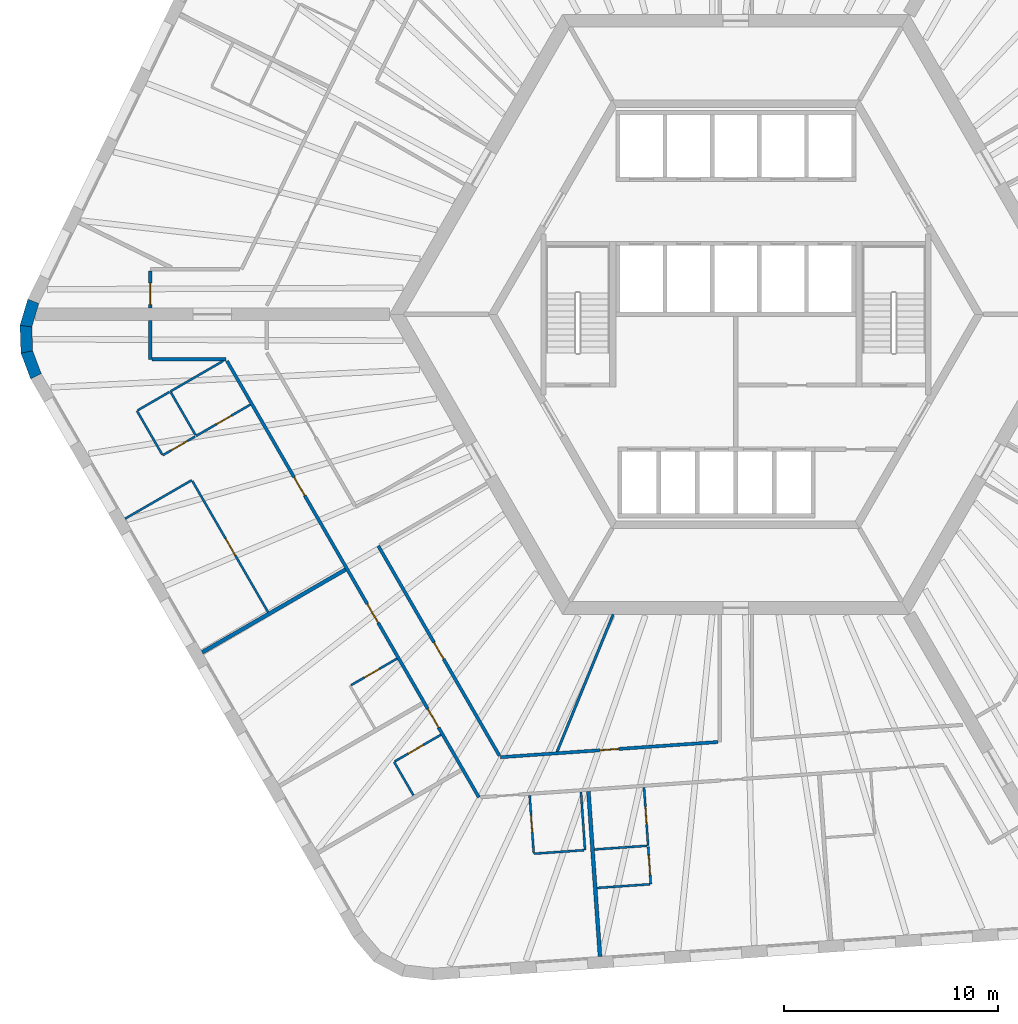
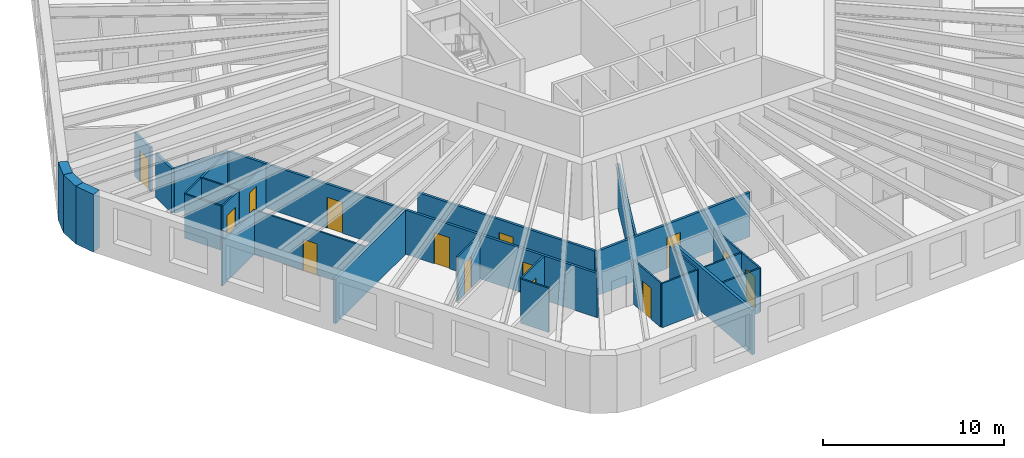
# One storey, part 3 of 12: 30 walls, 14 doors, 14 openings.
"""IFC4 building model written with IfcOpenShell, lengths in metres."""

from ifc_helpers import new_model, si_unit, direction, frame, frame_2d, origin, place, context, subcontext, project, spatial, polyline, rectangle, outline, extrude, material, layer, layer_set, type_object, element, fill, save


model = new_model("IFC4")

# Units and contexts
model_context = context("Model", 3, precision=1e-05, world=origin(), true_north=direction((0.0, 1.0)))
body_context = subcontext(model_context, "Body", "Model", "MODEL_VIEW")
ifc_project = project(units=[si_unit("LENGTHUNIT", "METRE"), si_unit("AREAUNIT", "SQUARE_METRE"), si_unit("VOLUMEUNIT", "CUBIC_METRE"), si_unit("PLANEANGLEUNIT", "RADIAN"), si_unit("MASSUNIT", "GRAM", prefix="KILO")], contexts=[model_context])

# Site, building, storey
site_placement = place(None, origin())
site = spatial("IfcSite", under=ifc_project, at=site_placement, CompositionType="ELEMENT")
building_placement = place(site_placement, origin())
building = spatial("IfcBuilding", under=site, at=building_placement, Name="Tarnside Tower", CompositionType="ELEMENT")
storey_placement = place(building_placement, frame((0.0, 0.0, 84.300048828125)))
storey = spatial("IfcBuildingStorey", under=building, at=storey_placement, Name="L18", CompositionType="ELEMENT", Elevation=84.300048828125)

# Wall
ifc_material_1 = material(Name="Gypsum board partition on steel studs", Category="steel")
ifc_layer_1 = layer(ifc_material_1, 0.10009765625)
ifc_layer_set_1 = layer_set([ifc_layer_1], Name="Bathroom wall 100")
wall_type_1 = type_object("IfcWallType", Name="Bathroom wall 100", PredefinedType="PARTITIONING", material=ifc_layer_set_1)
wall_1_placement = place(storey_placement, frame((-26.385009765625, -3.60009765625, 0.0), z_axis=(0.0, 0.0, 1.0), x_axis=(0.866025820012, 0.499999279071, 0.0)))
element("IfcWall", 1, at=wall_1_placement, inside=storey, type_object=wall_type_1, Name="Bathroom wall 05105", PredefinedType="PARTITIONING", context=body_context, shape_type="SweptSolid", body=[
    extrude(rectangle(XDim=2.85009765625, YDim=0.10009765625, at=frame_2d((1.425048828125, 0.0))), origin(), (0.0, 0.0, 1.0), 2.98779296875),
])

# Wall, opening, door
wall_2_placement = place(storey_placement, frame((-22.65185546875, -4.216064453125, 0.0), z_axis=(0.0, 0.0, 1.0), x_axis=(-0.866025730634, -0.499999433879, 0.0)))
wall_2 = element("IfcWall", 2, at=wall_2_placement, inside=storey, type_object=wall_type_1, Name="Bathroom wall 05106", PredefinedType="PARTITIONING", context=body_context, shape_type="SweptSolid", body=[
    extrude(rectangle(XDim=2.9248046875, YDim=0.10009765625, at=frame_2d((1.46240234375, 0.0))), origin(), (0.0, 0.0, 1.0), 2.98779296875),
])
opening_1_placement = place(wall_2_placement, frame((1.02490234375, 0.0, 0.0)))
opening_1 = element("IfcOpeningElement", 3, at=opening_1_placement, cuts=wall_2, Name="Opening D-B1", PredefinedType="OPENING", context=body_context, shape_type="SweptSolid", body=[
    extrude(rectangle(XDim=0.800048828125, YDim=2.10009765625, at=frame_2d((0.39990234375, 1.050048828125))), frame((0.0, 0.06005859375, 0.0), z_axis=(0.0, -1.0, 0.0), x_axis=(1.0, 0.0, 0.0)), (0.0, 0.0, 1.0), 0.1201171875),
])
ifc_material_2 = material(Name="Timber door leaf", Category="wood")
door_type_1 = type_object("IfcDoorType", Name="Bathroom door 800", OperationType="NOTDEFINED", PredefinedType="DOOR", material=ifc_material_2)
door_1_placement = place(opening_1_placement, origin())
door_1 = element("IfcDoor", 4, at=door_1_placement, inside=storey, type_object=door_type_1, Name="Bathroom door 05016", OperationType="SINGLE_SWING_RIGHT", OverallHeight=2.10009765625, OverallWidth=0.800048828125, PredefinedType="DOOR", context=body_context, shape_type="SweptSolid", body=[
    extrude(rectangle(XDim=0.800048828125, YDim=2.10009765625, at=frame_2d((0.39990234375, 1.050048828125))), frame((0.0, 0.02490234375, 0.0), z_axis=(0.0, -1.0, 0.0), x_axis=(1.0, 0.0, 0.0)), (0.0, 0.0, 1.0), 0.050048828125),
])
fill(opening_1, door_1)

# Wall
wall_3_placement = place(storey_placement, frame((-26.35986328125, -3.643310546875, 0.0), z_axis=(0.0, 0.0, 1.0), x_axis=(0.499952165731, -0.866053019151, 0.0)))
element("IfcWall", 5, at=wall_3_placement, inside=storey, type_object=wall_type_1, Name="Bathroom wall 05113", PredefinedType="PARTITIONING", context=body_context, shape_type="SweptSolid", body=[
    extrude(rectangle(XDim=2.300048828125, YDim=0.10009765625, at=frame_2d((1.14990234375, 0.0))), origin(), (0.0, 0.0, 1.0), 2.98779296875),
])

# Wall, opening, door
wall_4_placement = place(storey_placement, frame((-17.952392578125, -17.3056640625, 0.0), z_axis=(0.0, 0.0, 1.0), x_axis=(0.866031185235, 0.4999899861, 0.0)))
wall_4 = element("IfcWall", 6, at=wall_4_placement, inside=storey, type_object=wall_type_1, Name="Bathroom wall 05116", PredefinedType="PARTITIONING", context=body_context, shape_type="SweptSolid", body=[
    extrude(rectangle(XDim=2.47509765625, YDim=0.10009765625, at=frame_2d((1.237548828125, 0.0))), origin(), (0.0, 0.0, 1.0), 2.98779296875),
])
opening_2_placement = place(wall_4_placement, frame((0.719970703125, 0.0, 0.0)))
opening_2 = element("IfcOpeningElement", 7, at=opening_2_placement, cuts=wall_4, Name="Opening D-B1", PredefinedType="OPENING", context=body_context, shape_type="SweptSolid", body=[
    extrude(rectangle(XDim=0.800048828125, YDim=2.10009765625, at=frame_2d((0.39990234375, 1.050048828125))), frame((0.0, 0.06005859375, 0.0), z_axis=(0.0, -1.0, 0.0), x_axis=(1.0, 0.0, 0.0)), (0.0, 0.0, 1.0), 0.1201171875),
])
door_2_placement = place(opening_2_placement, origin())
door_2 = element("IfcDoor", 8, at=door_2_placement, inside=storey, type_object=door_type_1, Name="Bathroom door 05020", OperationType="SINGLE_SWING_RIGHT", OverallHeight=2.10009765625, OverallWidth=0.800048828125, PredefinedType="DOOR", context=body_context, shape_type="SweptSolid", body=[
    extrude(rectangle(XDim=0.800048828125, YDim=2.10009765625, at=frame_2d((0.39990234375, 1.050048828125))), frame((0.0, 0.02490234375, 0.0), z_axis=(0.0, -1.0, 0.0), x_axis=(1.0, 0.0, 0.0)), (0.0, 0.0, 1.0), 0.050048828125),
])
fill(opening_2, door_2)

# Wall
wall_5_placement = place(storey_placement, frame((-15.04052734375, -22.448974609375, 0.0), z_axis=(0.0, 0.0, 1.0), x_axis=(-0.499983199978, 0.866035103064, 0.0)))
element("IfcWall", 9, at=wall_5_placement, inside=storey, type_object=wall_type_1, Name="Bathroom wall 05119", PredefinedType="PARTITIONING", context=body_context, shape_type="SweptSolid", body=[
    extrude(rectangle(XDim=1.81005859375, YDim=0.10009765625, at=frame_2d((0.905029296875, 0.0))), origin(), (0.0, 0.0, 1.0), 2.98779296875),
])

# Wall, opening, door
wall_6_placement = place(storey_placement, frame((-15.90234375, -20.8564453125, 0.0), z_axis=(0.0, 0.0, 1.0), x_axis=(0.866031185235, 0.4999899861, 0.0)))
wall_6 = element("IfcWall", 10, at=wall_6_placement, inside=storey, type_object=wall_type_1, Name="Bathroom wall 05120", PredefinedType="PARTITIONING", context=body_context, shape_type="SweptSolid", body=[
    extrude(rectangle(XDim=2.47509765625, YDim=0.10009765625, at=frame_2d((1.237548828125, 0.0))), origin(), (0.0, 0.0, 1.0), 2.98779296875),
])
opening_3_placement = place(wall_6_placement, frame((0.719970703125, 0.0, 0.0)))
opening_3 = element("IfcOpeningElement", 11, at=opening_3_placement, cuts=wall_6, Name="Opening D-B1", PredefinedType="OPENING", context=body_context, shape_type="SweptSolid", body=[
    extrude(rectangle(XDim=0.800048828125, YDim=2.10009765625, at=frame_2d((0.39990234375, 1.050048828125))), frame((0.0, 0.06005859375, 0.0), z_axis=(0.0, -1.0, 0.0), x_axis=(1.0, 0.0, 0.0)), (0.0, 0.0, 1.0), 0.1201171875),
])
door_3_placement = place(opening_3_placement, origin())
door_3 = element("IfcDoor", 12, at=door_3_placement, inside=storey, type_object=door_type_1, Name="Bathroom door 05022", OperationType="SINGLE_SWING_RIGHT", OverallHeight=2.10009765625, OverallWidth=0.800048828125, PredefinedType="DOOR", context=body_context, shape_type="SweptSolid", body=[
    extrude(rectangle(XDim=0.800048828125, YDim=2.10009765625, at=frame_2d((0.39990234375, 1.050048828125))), frame((0.0, 0.02490234375, 0.0), z_axis=(0.0, -1.0, 0.0), x_axis=(1.0, 0.0, 0.0)), (0.0, 0.0, 1.0), 0.050048828125),
])
fill(opening_3, door_3)

# Walls
wall_7_placement = place(storey_placement, frame((-7.224365234375, -22.283203125, 0.0), z_axis=(0.0, 0.0, 1.0), x_axis=(0.069795247212, -0.997561338198, 0.0)))
element("IfcWall", 13, at=wall_7_placement, inside=storey, type_object=wall_type_1, Name="Bathroom wall 05123", PredefinedType="PARTITIONING", context=body_context, shape_type="SweptSolid", body=[
    extrude(rectangle(XDim=2.724853515625, YDim=0.10009765625, at=frame_2d((1.3623046875, 0.0))), origin(), (0.0, 0.0, 1.0), 2.98779296875),
])
wall_8_placement = place(storey_placement, frame((-7.083984375, -25.005126953125, 0.0), z_axis=(0.0, 0.0, 1.0), x_axis=(-0.997567715103, -0.06970404424, 0.0)))
element("IfcWall", 14, at=wall_8_placement, inside=storey, type_object=wall_type_1, Name="Bathroom wall 05124", PredefinedType="PARTITIONING", context=body_context, shape_type="SweptSolid", body=[
    extrude(rectangle(XDim=2.35009765625, YDim=0.10009765625, at=frame_2d((1.175048828125, 0.0))), origin(), (0.0, 0.0, 1.0), 2.98779296875),
])

# Wall, opening, door
wall_9_placement = place(storey_placement, frame((-9.431884765625, -25.119140625, 0.0), z_axis=(0.0, 0.0, 1.0), x_axis=(-0.069729221413, 0.997565955554, 0.0)))
wall_9 = element("IfcWall", 15, at=wall_9_placement, inside=storey, type_object=wall_type_1, Name="Bathroom wall 05125", PredefinedType="PARTITIONING", context=body_context, shape_type="SweptSolid", body=[
    extrude(rectangle(XDim=2.675048828125, YDim=0.10009765625, at=frame_2d((1.33740234375, 0.0))), origin(), (0.0, 0.0, 1.0), 2.98779296875),
])
opening_4_placement = place(wall_9_placement, frame((0.949951171875, 0.0, 0.0)))
opening_4 = element("IfcOpeningElement", 16, at=opening_4_placement, cuts=wall_9, Name="Opening D-B1", PredefinedType="OPENING", context=body_context, shape_type="SweptSolid", body=[
    extrude(rectangle(XDim=0.800048828125, YDim=2.10009765625, at=frame_2d((0.39990234375, 1.050048828125))), frame((0.0, 0.06005859375, 0.0), z_axis=(0.0, -1.0, 0.0), x_axis=(1.0, 0.0, 0.0)), (0.0, 0.0, 1.0), 0.1201171875),
])
door_4_placement = place(opening_4_placement, origin())
door_4 = element("IfcDoor", 17, at=door_4_placement, inside=storey, type_object=door_type_1, Name="Bathroom door 05024", OperationType="SINGLE_SWING_LEFT", OverallHeight=2.10009765625, OverallWidth=0.800048828125, PredefinedType="DOOR", context=body_context, shape_type="SweptSolid", body=[
    extrude(rectangle(XDim=0.800048828125, YDim=2.10009765625, at=frame_2d((0.39990234375, 1.050048828125))), frame((0.0, 0.02490234375, 0.0), z_axis=(0.0, -1.0, 0.0), x_axis=(1.0, 0.0, 0.0)), (0.0, 0.0, 1.0), 0.050048828125),
])
fill(opening_4, door_4)

wall_10_placement = place(storey_placement, frame((-4.281494140625, -22.077392578125, 0.0), z_axis=(0.0, 0.0, 1.0), x_axis=(0.069789009646, -0.997561774595, 0.0)))
wall_10 = element("IfcWall", 18, at=wall_10_placement, inside=storey, type_object=wall_type_1, Name="Bathroom wall 05129", PredefinedType="PARTITIONING", context=body_context, shape_type="SweptSolid", body=[
    extrude(rectangle(XDim=2.72509765625, YDim=0.10009765625, at=frame_2d((1.362548828125, 0.0))), origin(), (0.0, 0.0, 1.0), 2.98779296875),
])
opening_5_placement = place(wall_10_placement, frame((0.925048828125, 0.0, 0.0)))
opening_5 = element("IfcOpeningElement", 19, at=opening_5_placement, cuts=wall_10, Name="Opening D-B1", PredefinedType="OPENING", context=body_context, shape_type="SweptSolid", body=[
    extrude(rectangle(XDim=0.800048828125, YDim=2.10009765625, at=frame_2d((0.39990234375, 1.050048828125))), frame((0.0, 0.06005859375, 0.0), z_axis=(0.0, -1.0, 0.0), x_axis=(1.0, 0.0, 0.0)), (0.0, 0.0, 1.0), 0.1201171875),
])
door_5_placement = place(opening_5_placement, origin())
door_5 = element("IfcDoor", 20, at=door_5_placement, inside=storey, type_object=door_type_1, Name="Bathroom door 05026", OperationType="SINGLE_SWING_RIGHT", OverallHeight=2.10009765625, OverallWidth=0.800048828125, PredefinedType="DOOR", context=body_context, shape_type="SweptSolid", body=[
    extrude(rectangle(XDim=0.800048828125, YDim=2.10009765625, at=frame_2d((0.39990234375, 1.050048828125))), frame((0.0, 0.02490234375, 0.0), z_axis=(0.0, -1.0, 0.0), x_axis=(1.0, 0.0, 0.0)), (0.0, 0.0, 1.0), 0.050048828125),
])
fill(opening_5, door_5)

# Wall
wall_11_placement = place(storey_placement, frame((-6.59521484375, -24.970947265625, 0.0), z_axis=(0.0, 0.0, 1.0), x_axis=(0.997562906323, 0.069772830877, 0.0)))
element("IfcWall", 21, at=wall_11_placement, inside=storey, type_object=wall_type_1, Name="Bathroom wall 05134", PredefinedType="PARTITIONING", context=body_context, shape_type="SweptSolid", body=[
    extrude(rectangle(XDim=2.4599609375, YDim=0.10009765625, at=frame_2d((1.22998046875, 0.0))), origin(), (0.0, 0.0, 1.0), 2.98779296875),
])

# Wall, opening, door
ifc_layer_2 = layer(ifc_material_1, 0.14990234375)
ifc_layer_set_2 = layer_set([ifc_layer_2], Name="Corridor wall 150 EI 60")
wall_type_2 = type_object("IfcWallType", Name="Corridor wall 150 EI 60", PredefinedType="PARTITIONING", material=ifc_layer_set_2)
wall_12_placement = place(storey_placement, frame((-27.3203125, 2.02490234375, 0.0), z_axis=(0.0, 0.0, 1.0), x_axis=(0.0, -1.0, 0.0)))
wall_12 = element("IfcWall", 22, at=wall_12_placement, inside=storey, type_object=wall_type_2, Name="Corridor wall 05016", PredefinedType="PARTITIONING", context=body_context, shape_type="SweptSolid", body=[
    extrude(rectangle(XDim=1.724853515625, YDim=0.14990234375, at=frame_2d((0.8623046875, 0.0))), origin(), (0.0, 0.0, 1.0), 2.98779296875),
])
opening_6_placement = place(wall_12_placement, frame((0.574951171875, 0.0, 0.0)))
opening_6 = element("IfcOpeningElement", 23, at=opening_6_placement, cuts=wall_12, Name="Opening D-E1", PredefinedType="OPENING", context=body_context, shape_type="SweptSolid", body=[
    extrude(rectangle(XDim=1.0, YDim=2.10009765625, at=frame_2d((0.5, 1.050048828125))), frame((0.0, 0.0849609375, 0.0), z_axis=(0.0, -1.0, 0.0), x_axis=(1.0, 0.0, 0.0)), (0.0, 0.0, 1.0), 0.169921875),
])
door_type_2 = type_object("IfcDoorType", Name="Unit entrance door 1000 FD30S", OperationType="NOTDEFINED", PredefinedType="DOOR", material=ifc_material_2)
door_6_placement = place(opening_6_placement, origin())
door_6 = element("IfcDoor", 24, at=door_6_placement, inside=storey, type_object=door_type_2, Name="Unit door 05014", OperationType="SINGLE_SWING_LEFT", OverallHeight=2.10009765625, OverallWidth=1.0, PredefinedType="DOOR", context=body_context, shape_type="SweptSolid", body=[
    extrude(rectangle(XDim=1.0, YDim=2.10009765625, at=frame_2d((0.5, 1.050048828125))), frame((0.0, 0.02490234375, 0.0), z_axis=(0.0, -1.0, 0.0), x_axis=(1.0, 0.0, 0.0)), (0.0, 0.0, 1.0), 0.050048828125),
])
fill(opening_6, door_6)

# Walls
wall_13_placement = place(storey_placement, frame((-27.3203125, -0.300048828125, 0.0), z_axis=(0.0, 0.0, 1.0), x_axis=(0.0, -1.0, 0.0)))
element("IfcWall", 25, at=wall_13_placement, inside=storey, type_object=wall_type_2, Name="Corridor wall 05027", PredefinedType="PARTITIONING", context=body_context, shape_type="SweptSolid", body=[
    extrude(rectangle(XDim=1.800048828125, YDim=0.14990234375, at=frame_2d((0.89990234375, 0.0))), origin(), (0.0, 0.0, 1.0), 2.98779296875),
])
wall_14_placement = place(storey_placement, frame((-27.245361328125, -2.10009765625, 0.0), z_axis=(0.0, 0.0, 1.0), x_axis=(1.0, 0.0, 0.0)))
element("IfcWall", 26, at=wall_14_placement, inside=storey, type_object=wall_type_2, Name="Corridor wall 05028", PredefinedType="PARTITIONING", context=body_context, shape_type="SweptSolid", body=[
    extrude(rectangle(XDim=3.45849609375, YDim=0.14990234375, at=frame_2d((1.729248046875, 0.0))), origin(), (0.0, 0.0, 1.0), 2.98779296875),
])

# Wall, openings, doors
wall_15_placement = place(storey_placement, frame((-23.743408203125, -2.175048828125, 0.0), z_axis=(0.0, 0.0, 1.0), x_axis=(0.499992353047, -0.86602981871, 0.0)))
wall_15 = element("IfcWall", 27, at=wall_15_placement, inside=storey, type_object=wall_type_2, Name="Corridor wall 05029", PredefinedType="PARTITIONING", context=body_context, shape_type="SweptSolid", body=[
    extrude(rectangle(XDim=23.516357421875, YDim=0.14990234375, at=frame_2d((11.75830078125, 0.0))), origin(), (0.0, 0.0, 1.0), 2.98779296875),
])
opening_7_placement = place(wall_15_placement, frame((6.25634765625, 0.0, 0.0)))
opening_7 = element("IfcOpeningElement", 28, at=opening_7_placement, cuts=wall_15, Name="Opening D-E1", PredefinedType="OPENING", context=body_context, shape_type="SweptSolid", body=[
    extrude(rectangle(XDim=1.0, YDim=2.10009765625, at=frame_2d((0.5, 1.050048828125))), frame((0.0, 0.0849609375, 0.0), z_axis=(0.0, -1.0, 0.0), x_axis=(1.0, 0.0, 0.0)), (0.0, 0.0, 1.0), 0.169921875),
])
opening_8_placement = place(wall_15_placement, frame((13.09912109375, 0.0, 0.0)))
opening_8 = element("IfcOpeningElement", 29, at=opening_8_placement, cuts=wall_15, Name="Opening D-E1", PredefinedType="OPENING", context=body_context, shape_type="SweptSolid", body=[
    extrude(rectangle(XDim=1.0, YDim=2.10009765625, at=frame_2d((0.5, 1.050048828125))), frame((0.0, 0.0849609375, 0.0), z_axis=(0.0, -1.0, 0.0), x_axis=(1.0, 0.0, 0.0)), (0.0, 0.0, 1.0), 0.169921875),
])
opening_9_placement = place(wall_15_placement, frame((18.749267578125, 0.0, 0.0)))
opening_9 = element("IfcOpeningElement", 30, at=opening_9_placement, cuts=wall_15, Name="Opening D-E1", PredefinedType="OPENING", context=body_context, shape_type="SweptSolid", body=[
    extrude(rectangle(XDim=1.0, YDim=2.10009765625, at=frame_2d((0.5, 1.050048828125))), frame((0.0, 0.0849609375, 0.0), z_axis=(0.0, -1.0, 0.0), x_axis=(1.0, 0.0, 0.0)), (0.0, 0.0, 1.0), 0.169921875),
])
door_7_placement = place(opening_7_placement, origin())
door_7 = element("IfcDoor", 31, at=door_7_placement, inside=storey, type_object=door_type_2, Name="Unit door 05015", OperationType="SINGLE_SWING_LEFT", OverallHeight=2.10009765625, OverallWidth=1.0, PredefinedType="DOOR", context=body_context, shape_type="SweptSolid", body=[
    extrude(rectangle(XDim=1.0, YDim=2.10009765625, at=frame_2d((0.5, 1.050048828125))), frame((0.0, 0.02490234375, 0.0), z_axis=(0.0, -1.0, 0.0), x_axis=(1.0, 0.0, 0.0)), (0.0, 0.0, 1.0), 0.050048828125),
])
fill(opening_7, door_7)
door_8_placement = place(opening_8_placement, origin())
door_8 = element("IfcDoor", 32, at=door_8_placement, inside=storey, type_object=door_type_2, Name="Unit door 05019", OperationType="SINGLE_SWING_LEFT", OverallHeight=2.10009765625, OverallWidth=1.0, PredefinedType="DOOR", context=body_context, shape_type="SweptSolid", body=[
    extrude(rectangle(XDim=1.0, YDim=2.10009765625, at=frame_2d((0.5, 1.050048828125))), frame((0.0, 0.02490234375, 0.0), z_axis=(0.0, -1.0, 0.0), x_axis=(1.0, 0.0, 0.0)), (0.0, 0.0, 1.0), 0.050048828125),
])
fill(opening_8, door_8)
door_9_placement = place(opening_9_placement, origin())
door_9 = element("IfcDoor", 33, at=door_9_placement, inside=storey, type_object=door_type_2, Name="Unit door 05021", OperationType="SINGLE_SWING_RIGHT", OverallHeight=2.10009765625, OverallWidth=1.0, PredefinedType="DOOR", context=body_context, shape_type="SweptSolid", body=[
    extrude(rectangle(XDim=1.0, YDim=2.10009765625, at=frame_2d((0.5, 1.050048828125))), frame((0.0, 0.02490234375, 0.0), z_axis=(0.0, -1.0, 0.0), x_axis=(1.0, 0.0, 0.0)), (0.0, 0.0, 1.0), 0.050048828125),
])
fill(opening_9, door_9)

# Wall, opening, door
wall_16_placement = place(storey_placement, frame((-0.824951171875, -19.9560546875, 0.0), z_axis=(0.0, 0.0, 1.0), x_axis=(-0.997562587881, -0.069777383582, 0.0)))
wall_16 = element("IfcWall", 34, at=wall_16_placement, inside=storey, type_object=wall_type_2, Name="Corridor wall 05049", PredefinedType="PARTITIONING", context=body_context, shape_type="SweptSolid", body=[
    extrude(rectangle(XDim=10.188720703125, YDim=0.14990234375, at=frame_2d((5.09423828125, 0.0))), origin(), (0.0, 0.0, 1.0), 2.98779296875),
])
opening_10_placement = place(wall_16_placement, frame((4.644287109375, 0.0, 0.0)))
opening_10 = element("IfcOpeningElement", 35, at=opening_10_placement, cuts=wall_16, Name="Opening D-S1", PredefinedType="OPENING", context=body_context, shape_type="SweptSolid", body=[
    extrude(rectangle(XDim=0.89990234375, YDim=2.10009765625, at=frame_2d((0.449951171875, 1.050048828125))), frame((0.0, 0.0849609375, 0.0), z_axis=(0.0, -1.0, 0.0), x_axis=(1.0, 0.0, 0.0)), (0.0, 0.0, 1.0), 0.169921875),
])
door_type_3 = type_object("IfcDoorType", Name="Service room door 900 FD30S", OperationType="NOTDEFINED", PredefinedType="DOOR", material=ifc_material_2)
door_10_placement = place(opening_10_placement, origin())
door_10 = element("IfcDoor", 36, at=door_10_placement, inside=storey, type_object=door_type_3, Name="Service door 05046", OperationType="SINGLE_SWING_LEFT", OverallHeight=2.10009765625, OverallWidth=0.89990234375, PredefinedType="DOOR", context=body_context, shape_type="SweptSolid", body=[
    extrude(rectangle(XDim=0.89990234375, YDim=2.10009765625, at=frame_2d((0.449951171875, 1.050048828125))), frame((0.0, 0.02490234375, 0.0), z_axis=(0.0, -1.0, 0.0), x_axis=(1.0, 0.0, 0.0)), (0.0, 0.0, 1.0), 0.050048828125),
])
fill(opening_10, door_10)

wall_17_placement = place(storey_placement, frame((-11.030517578125, -20.5947265625, 0.0), z_axis=(0.0, 0.0, 1.0), x_axis=(-0.499987422378, 0.866032665356, 0.0)))
wall_17 = element("IfcWall", 37, at=wall_17_placement, inside=storey, type_object=wall_type_2, Name="Corridor wall 05051", PredefinedType="PARTITIONING", context=body_context, shape_type="SweptSolid", body=[
    extrude(rectangle(XDim=11.299072265625, YDim=0.14990234375, at=frame_2d((5.6494140625, 0.0))), origin(), (0.0, 0.0, 1.0), 2.98779296875),
])
opening_11_placement = place(wall_17_placement, frame((5.199462890625, 0.0, 0.0)))
opening_11 = element("IfcOpeningElement", 38, at=opening_11_placement, cuts=wall_17, Name="Opening D-S1", PredefinedType="OPENING", context=body_context, shape_type="SweptSolid", body=[
    extrude(rectangle(XDim=0.89990234375, YDim=2.10009765625, at=frame_2d((0.449951171875, 1.050048828125))), frame((0.0, 0.0849609375, 0.0), z_axis=(0.0, -1.0, 0.0), x_axis=(1.0, 0.0, 0.0)), (0.0, 0.0, 1.0), 0.169921875),
])
door_11_placement = place(opening_11_placement, origin())
door_11 = element("IfcDoor", 39, at=door_11_placement, inside=storey, type_object=door_type_3, Name="Service door 05047", OperationType="SINGLE_SWING_RIGHT", OverallHeight=2.10009765625, OverallWidth=0.89990234375, PredefinedType="DOOR", context=body_context, shape_type="SweptSolid", body=[
    extrude(rectangle(XDim=0.89990234375, YDim=2.10009765625, at=frame_2d((0.449951171875, 1.050048828125))), frame((0.0, 0.02490234375, 0.0), z_axis=(0.0, -1.0, 0.0), x_axis=(1.0, 0.0, 0.0)), (0.0, 0.0, 1.0), 0.050048828125),
])
fill(opening_11, door_11)

# Walls
ifc_layer_3 = layer(ifc_material_1, 0.179931640625)
ifc_layer_set_3 = layer_set([ifc_layer_3], Name="Demising wall 180 EI 60")
wall_type_3 = type_object("IfcWallType", Name="Demising wall 180 EI 60", PredefinedType="PARTITIONING", material=ifc_layer_set_3)
wall_18_placement = place(storey_placement, frame((-24.89892578125, -15.773681640625, 0.0), z_axis=(0.0, 0.0, 1.0), x_axis=(0.866032958989, 0.499986913773, 0.0)))
element("IfcWall", 40, at=wall_18_placement, inside=storey, type_object=wall_type_3, Name="Demising wall 05112", PredefinedType="PARTITIONING", context=body_context, shape_type="SweptSolid", body=[
    extrude(rectangle(XDim=7.724853515625, YDim=0.179931640625, at=frame_2d((3.8623046875, 0.0))), origin(), (0.0, 0.0, 1.0), 2.98779296875),
])
wall_19_placement = place(storey_placement, frame((-6.336181640625, -29.965087890625, 0.0), z_axis=(0.0, 0.0, 1.0), x_axis=(-0.069780381152, 0.997562378203, 0.0)))
element("IfcWall", 41, at=wall_19_placement, inside=storey, type_object=wall_type_3, Name="Demising wall 05126", PredefinedType="PARTITIONING", context=body_context, shape_type="SweptSolid", body=[
    extrude(rectangle(XDim=7.72509765625, YDim=0.179931640625, at=frame_2d((3.862548828125, 0.0))), origin(), (0.0, 0.0, 1.0), 2.98779296875),
])

# Wall, opening, door
ifc_layer_4 = layer(ifc_material_1, 0.10009765625)
ifc_layer_set_4 = layer_set([ifc_layer_4], Name="Partition 100")
wall_type_4 = type_object("IfcWallType", Name="Partition 100", PredefinedType="PARTITIONING", material=ifc_layer_set_4)
wall_20_placement = place(storey_placement, frame((-25.228271484375, -5.703369140625, 0.0), z_axis=(0.0, 0.0, 1.0), x_axis=(-0.866002029911, -0.500040482552, 0.0)))
wall_20 = element("IfcWall", 42, at=wall_20_placement, inside=storey, type_object=wall_type_4, Name="Partition wall 05107", PredefinedType="PARTITIONING", context=body_context, shape_type="SweptSolid", body=[
    extrude(rectangle(XDim=1.749755859375, YDim=0.10009765625, at=frame_2d((0.875, 0.0))), origin(), (0.0, 0.0, 1.0), 2.98779296875),
])
opening_12_placement = place(wall_20_placement, frame((0.39990234375, 0.0, 0.0)))
opening_12 = element("IfcOpeningElement", 43, at=opening_12_placement, cuts=wall_20, Name="Opening D-I1", PredefinedType="OPENING", context=body_context, shape_type="SweptSolid", body=[
    extrude(rectangle(XDim=0.89990234375, YDim=2.10009765625, at=frame_2d((0.449951171875, 1.050048828125))), frame((0.0, 0.06005859375, 0.0), z_axis=(0.0, -1.0, 0.0), x_axis=(1.0, 0.0, 0.0)), (0.0, 0.0, 1.0), 0.1201171875),
])
door_type_4 = type_object("IfcDoorType", Name="Internal door 900", OperationType="NOTDEFINED", PredefinedType="DOOR", material=ifc_material_2)
door_12_placement = place(opening_12_placement, origin())
door_12 = element("IfcDoor", 44, at=door_12_placement, inside=storey, type_object=door_type_4, Name="Internal door 05017", OperationType="SINGLE_SWING_LEFT", OverallHeight=2.10009765625, OverallWidth=0.89990234375, PredefinedType="DOOR", context=body_context, shape_type="SweptSolid", body=[
    extrude(rectangle(XDim=0.89990234375, YDim=2.10009765625, at=frame_2d((0.449951171875, 1.050048828125))), frame((0.0, 0.02490234375, 0.0), z_axis=(0.0, -1.0, 0.0), x_axis=(1.0, 0.0, 0.0)), (0.0, 0.0, 1.0), 0.050048828125),
])
fill(opening_12, door_12)

# Walls
wall_21_placement = place(storey_placement, frame((-26.768798828125, -6.53515625, 0.0), z_axis=(0.0, 0.0, 1.0), x_axis=(-0.500016218704, 0.866016039709, 0.0)))
element("IfcWall", 45, at=wall_21_placement, inside=storey, type_object=wall_type_4, Name="Partition wall 05108", PredefinedType="PARTITIONING", context=body_context, shape_type="SweptSolid", body=[
    extrude(rectangle(XDim=2.35009765625, YDim=0.10009765625, at=frame_2d((1.175048828125, 0.0))), origin(), (0.0, 0.0, 1.0), 2.98779296875),
])
wall_22_placement = place(storey_placement, frame((-27.900390625, -4.47509765625, 0.0), z_axis=(0.0, 0.0, 1.0), x_axis=(0.865989465428, 0.500062241894, 0.0)))
element("IfcWall", 46, at=wall_22_placement, inside=storey, type_object=wall_type_4, Name="Partition wall 05109", PredefinedType="PARTITIONING", context=body_context, shape_type="SweptSolid", body=[
    extrude(rectangle(XDim=1.699951171875, YDim=0.10009765625, at=frame_2d((0.85009765625, 0.0))), origin(), (0.0, 0.0, 1.0), 2.98779296875),
])
wall_23_placement = place(storey_placement, frame((-28.4990234375, -9.538330078125, 0.0), z_axis=(0.0, 0.0, 1.0), x_axis=(0.866047807691, 0.499961193289, 0.0)))
element("IfcWall", 47, at=wall_23_placement, inside=storey, type_object=wall_type_4, Name="Partition wall 05110", PredefinedType="PARTITIONING", context=body_context, shape_type="SweptSolid", body=[
    extrude(rectangle(XDim=3.599853515625, YDim=0.10009765625, at=frame_2d((1.7998046875, 0.0))), origin(), (0.0, 0.0, 1.0), 2.98779296875),
])

# Wall, opening, door
wall_24_placement = place(storey_placement, frame((-25.356201171875, -7.78173828125, 0.0), z_axis=(0.0, 0.0, 1.0), x_axis=(0.500010820671, -0.866019156377, 0.0)))
wall_24 = element("IfcWall", 48, at=wall_24_placement, inside=storey, type_object=wall_type_4, Name="Partition wall 05111", PredefinedType="PARTITIONING", context=body_context, shape_type="SweptSolid", body=[
    extrude(rectangle(XDim=7.059814453125, YDim=0.10009765625, at=frame_2d((3.52978515625, 0.0))), origin(), (0.0, 0.0, 1.0), 2.98779296875),
])
opening_13_placement = place(wall_24_placement, frame((3.10009765625, 0.0, 0.0)))
opening_13 = element("IfcOpeningElement", 49, at=opening_13_placement, cuts=wall_24, Name="Opening D-I1", PredefinedType="OPENING", context=body_context, shape_type="SweptSolid", body=[
    extrude(rectangle(XDim=0.89990234375, YDim=2.10009765625, at=frame_2d((0.449951171875, 1.050048828125))), frame((0.0, 0.06005859375, 0.0), z_axis=(0.0, -1.0, 0.0), x_axis=(1.0, 0.0, 0.0)), (0.0, 0.0, 1.0), 0.1201171875),
])
door_13_placement = place(opening_13_placement, origin())
door_13 = element("IfcDoor", 50, at=door_13_placement, inside=storey, type_object=door_type_4, Name="Internal door 05018", OperationType="SINGLE_SWING_LEFT", OverallHeight=2.10009765625, OverallWidth=0.89990234375, PredefinedType="DOOR", context=body_context, shape_type="SweptSolid", body=[
    extrude(rectangle(XDim=0.89990234375, YDim=2.10009765625, at=frame_2d((0.449951171875, 1.050048828125))), frame((0.0, 0.02490234375, 0.0), z_axis=(0.0, -1.0, 0.0), x_axis=(1.0, 0.0, 0.0)), (0.0, 0.0, 1.0), 0.050048828125),
])
fill(opening_13, door_13)

wall_25_placement = place(storey_placement, frame((-4.087890625, -24.845703125, 0.0), z_axis=(0.0, 0.0, 1.0), x_axis=(0.069759707979, -0.997563824095, 0.0)))
wall_25 = element("IfcWall", 51, at=wall_25_placement, inside=storey, type_object=wall_type_4, Name="Partition wall 05130", PredefinedType="PARTITIONING", context=body_context, shape_type="SweptSolid", body=[
    extrude(rectangle(XDim=1.749755859375, YDim=0.10009765625, at=frame_2d((0.875, 0.0))), origin(), (0.0, 0.0, 1.0), 2.98779296875),
])
opening_14_placement = place(wall_25_placement, frame((0.39990234375, 0.0, 0.0)))
opening_14 = element("IfcOpeningElement", 52, at=opening_14_placement, cuts=wall_25, Name="Opening D-I1", PredefinedType="OPENING", context=body_context, shape_type="SweptSolid", body=[
    extrude(rectangle(XDim=0.89990234375, YDim=2.10009765625, at=frame_2d((0.449951171875, 1.050048828125))), frame((0.0, 0.06005859375, 0.0), z_axis=(0.0, -1.0, 0.0), x_axis=(1.0, 0.0, 0.0)), (0.0, 0.0, 1.0), 0.1201171875),
])
door_14_placement = place(opening_14_placement, origin())
door_14 = element("IfcDoor", 53, at=door_14_placement, inside=storey, type_object=door_type_4, Name="Internal door 05027", OperationType="SINGLE_SWING_LEFT", OverallHeight=2.10009765625, OverallWidth=0.89990234375, PredefinedType="DOOR", context=body_context, shape_type="SweptSolid", body=[
    extrude(rectangle(XDim=0.89990234375, YDim=2.10009765625, at=frame_2d((0.449951171875, 1.050048828125))), frame((0.0, 0.02490234375, 0.0), z_axis=(0.0, -1.0, 0.0), x_axis=(1.0, 0.0, 0.0)), (0.0, 0.0, 1.0), 0.050048828125),
])
fill(opening_14, door_14)

# Walls
wall_26_placement = place(storey_placement, frame((-4.015625, -26.594970703125, 0.0), z_axis=(0.0, 0.0, 1.0), x_axis=(-0.997563389425, -0.069765923475, 0.0)))
element("IfcWall", 54, at=wall_26_placement, inside=storey, type_object=wall_type_4, Name="Partition wall 05131", PredefinedType="PARTITIONING", context=body_context, shape_type="SweptSolid", body=[
    extrude(rectangle(XDim=2.460205078125, YDim=0.10009765625, at=frame_2d((1.22998046875, 0.0))), origin(), (0.0, 0.0, 1.0), 2.98779296875),
])
ifc_layer_5 = layer(ifc_material_1, 0.1201171875)
ifc_layer_set_5 = layer_set([ifc_layer_5], Name="Service room wall 120 EI 60")
wall_type_5 = type_object("IfcWallType", Name="Service room wall 120 EI 60", PredefinedType="PARTITIONING", material=ifc_layer_set_5)
wall_27_placement = place(storey_placement, frame((-5.719482421875, -14.0, 0.0), z_axis=(0.0, 0.0, 1.0), x_axis=(-0.378193217714, -0.925726682166, 0.0)))
element("IfcWall", 55, at=wall_27_placement, inside=storey, type_object=wall_type_5, Name="Service wall 05160", PredefinedType="PARTITIONING", context=body_context, shape_type="SweptSolid", body=[
    extrude(rectangle(XDim=6.920166015625, YDim=0.1201171875, at=frame_2d((3.4599609375, 0.0))), origin(), (0.0, 0.0, 1.0), 2.98779296875),
])
ifc_material_3 = material(Name="Facing brick", Category="masonry")
ifc_layer_6 = layer(ifc_material_3, 0.10205078125)
ifc_material_4 = material(Name="Concrete C60/75 precast", Category="concrete")
ifc_layer_7 = layer(ifc_material_4, 0.347900390625)
ifc_material_5 = material(Name="Mineral wool insulation")
ifc_layer_8 = layer(ifc_material_5, 0.10009765625)
ifc_layer_set_6 = layer_set([ifc_layer_6, ifc_layer_7, ifc_layer_8], Name="Tube wall 550 brick faced")
wall_type_6 = type_object("IfcWallType", Name="Tube wall 550 brick faced", PredefinedType="SOLIDWALL", material=ifc_layer_set_6)
wall_28_placement = place(storey_placement, frame((-32.77685546875, 0.605224609375, -0.150146484375), z_axis=(0.0, 0.0, 1.0), x_axis=(-0.286921497463, -0.957954098219, 0.0)))
element("IfcWall", 56, at=wall_28_placement, inside=storey, type_object=wall_type_6, Name="Tube wall L18 F2 chord 05", PredefinedType="SOLIDWALL", context=body_context, shape_type="SweptSolid", body=[
    extrude(outline(polyline([(-0.0224609375, -0.27490234375), (1.25341796875, -0.27490234375), (1.1630859375, 0.27490234375), (0.0224609375, 0.27490234375), (-0.0224609375, -0.27490234375)])), origin(), (0.0, 0.0, 1.0), 3.900146484375),
])
wall_29_placement = place(storey_placement, frame((-33.12353515625, -0.55224609375, -0.150146484375), z_axis=(0.0, 0.0, 1.0), x_axis=(0.03495638276, -0.999388838893, 0.0)))
element("IfcWall", 57, at=wall_29_placement, inside=storey, type_object=wall_type_6, Name="Tube wall L18 F2 chord 06", PredefinedType="SOLIDWALL", context=body_context, shape_type="SweptSolid", body=[
    extrude(outline(polyline([(-0.045166015625, -0.27490234375), (1.25341796875, -0.27490234375), (1.1630859375, 0.27490234375), (0.045166015625, 0.27490234375), (-0.045166015625, -0.27490234375)])), origin(), (0.0, 0.0, 1.0), 3.900146484375),
])
wall_30_placement = place(storey_placement, frame((-33.081298828125, -1.759765625, -0.150146484375), z_axis=(0.0, 0.0, 1.0), x_axis=(0.353027214741, -0.935613053378, 0.0)))
element("IfcWall", 58, at=wall_30_placement, inside=storey, type_object=wall_type_6, Name="Tube wall L18 F2 chord 07", PredefinedType="SOLIDWALL", context=body_context, shape_type="SweptSolid", body=[
    extrude(outline(polyline([(-0.045166015625, -0.27490234375), (1.230712890625, -0.27490234375), (1.185791015625, 0.27490234375), (0.045166015625, 0.27490234375), (-0.045166015625, -0.27490234375)])), origin(), (0.0, 0.0, 1.0), 3.900146484375),
])

save(model, "model.ifc")
